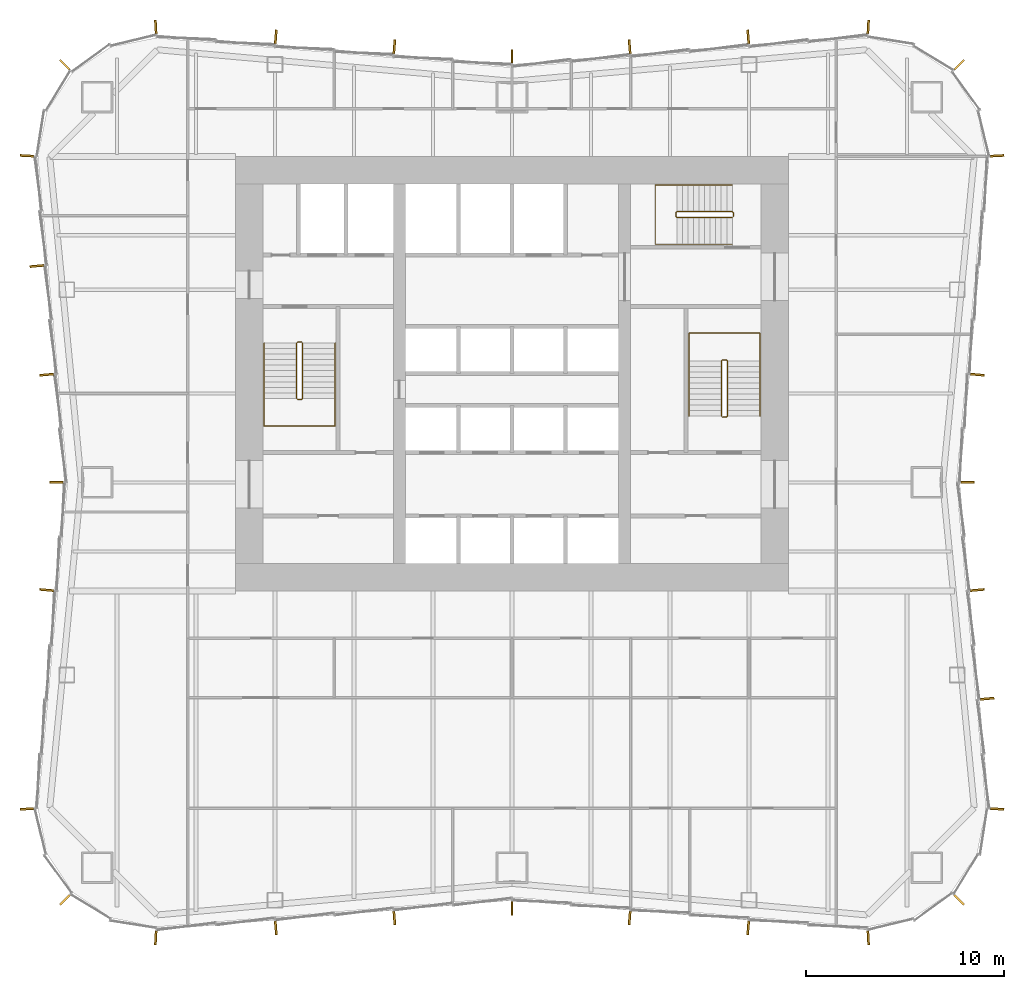
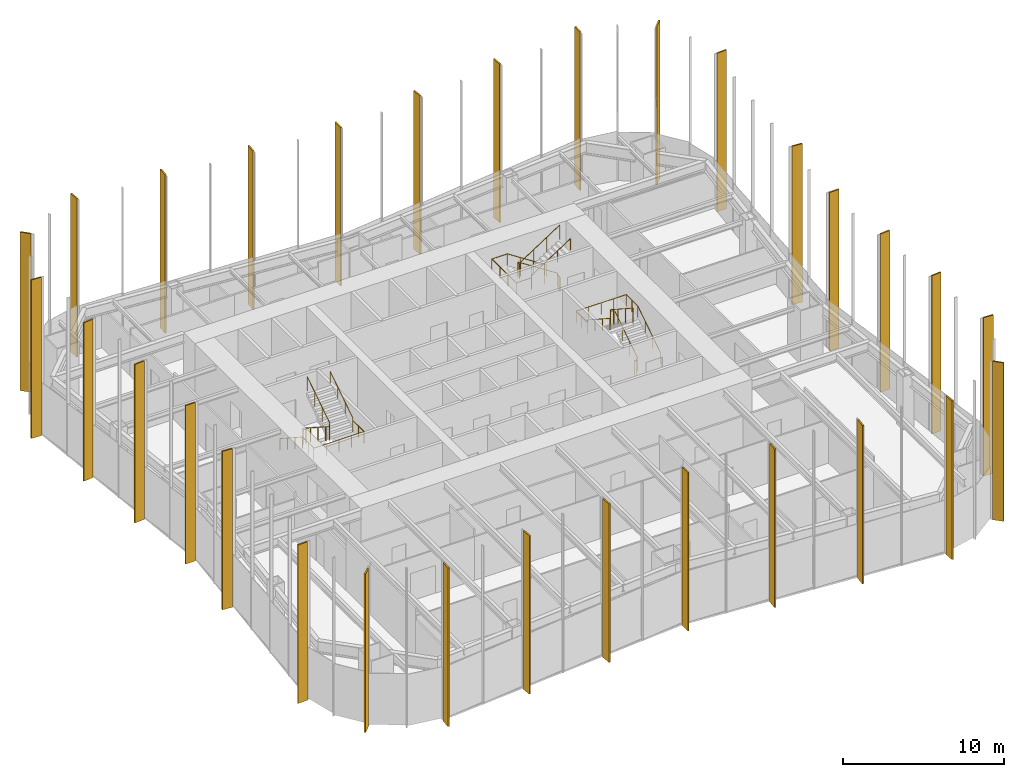
# One storey, part 13 of 13: 30 shading devices, 6 railings.
"""IFC4 building model written with IfcOpenShell, lengths in metres."""

from ifc_helpers import new_model, si_unit, direction, frame, origin, origin_2d, place, context, subcontext, project, spatial, rectangle, circle, extrude, material, layer, layer_set, type_object, element, save


model = new_model("IFC4")

# Units and contexts
model_context = context("Model", 3, precision=1e-05, world=origin(), true_north=direction((0.0, 1.0)))
body_context = subcontext(model_context, "Body", "Model", "MODEL_VIEW")
ifc_project = project(units=[si_unit("LENGTHUNIT", "METRE"), si_unit("AREAUNIT", "SQUARE_METRE"), si_unit("VOLUMEUNIT", "CUBIC_METRE"), si_unit("PLANEANGLEUNIT", "RADIAN"), si_unit("MASSUNIT", "GRAM", prefix="KILO")], contexts=[model_context])

# Site, building, storey
site_placement = place(None, origin())
site = spatial("IfcSite", under=ifc_project, at=site_placement, CompositionType="ELEMENT")
building_placement = place(site_placement, origin())
building = spatial("IfcBuilding", under=site, at=building_placement, Name="Verdant Reach Tower", CompositionType="ELEMENT")
storey_placement = place(building_placement, frame((0.0, 0.0, 14.0)))
storey = spatial("IfcBuildingStorey", under=building, at=storey_placement, Name="L02", CompositionType="ELEMENT", Elevation=14.0)

# Railings
ifc_material_1 = material(Name="Stainless steel", Category="steel")
railing_type_1 = type_object("IfcRailingType", Name="CO-GUARD", PredefinedType="GUARDRAIL", material=ifc_material_1)
railing_1_placement = place(storey_placement, frame((-10.64990234375, 29.60009765625, 0.0)))
element("IfcRailing", 1, at=railing_1_placement, inside=storey, type_object=railing_type_1, Name="L02 ST-1 stair guard 1", PredefinedType="GUARDRAIL", context=body_context, shape_type="SweptSolid", body=[
    extrude(circle(Radius=0.02392578125, at=origin_2d()), frame((0.0, 0.0, 1.076171875), z_axis=(-1.0, 0.0, 0.0), x_axis=(0.0, -1.0, 0.0)), (0.0, 0.0, 1.0), 0.2001953125),
    extrude(circle(Radius=0.02392578125, at=origin_2d()), frame((-0.2001953125, 0.0, 1.076171875), z_axis=(-0.25526617399, -0.256517478764, 0.932222056972), x_axis=(0.708833529934, -0.705375805398, 0.0)), (0.0, 0.0, 1.0), 0.195068359375),
    extrude(circle(Radius=0.02392578125, at=origin_2d()), frame((-0.25, -0.050048828125, 1.2578125), z_axis=(0.0, -0.838705829183, 0.544584733623), x_axis=(1.0, 0.0, 0.0)), (0.0, 0.0, 1.0), 3.338623046875),
    extrude(circle(Radius=0.02392578125, at=origin_2d()), frame((-0.25, -2.85009765625, 3.076171875), z_axis=(0.705375805398, -0.708833529934, 0.0), x_axis=(0.708833529934, 0.705375805398, 0.0)), (0.0, 0.0, 1.0), 0.070556640625),
    extrude(circle(Radius=0.02392578125, at=origin_2d()), frame((-0.2001953125, -2.900146484375, 3.076171875), z_axis=(1.0, 0.0, 0.0), x_axis=(0.0, 1.0, 0.0)), (0.0, 0.0, 1.0), 0.2001953125),
    extrude(circle(Radius=0.02392578125, at=origin_2d()), frame((0.0, -2.900146484375, 3.076171875), z_axis=(0.25526617399, 0.256517478764, 0.932222056972), x_axis=(-0.708833529934, 0.705375805398, 0.0)), (0.0, 0.0, 1.0), 0.195068359375),
    extrude(circle(Radius=0.02392578125, at=origin_2d()), frame((0.0498046875, -2.85009765625, 3.2578125), z_axis=(0.0, 0.838705829183, 0.544584733623), x_axis=(-1.0, 0.0, 0.0)), (0.0, 0.0, 1.0), 3.338623046875),
    extrude(circle(Radius=0.02099609375, at=origin_2d()), origin(), (0.0, 0.0, 1.0), 1.052001953125),
    extrude(circle(Radius=0.02099609375, at=origin_2d()), frame((-0.2001953125, 0.0, 0.0)), (0.0, 0.0, 1.0), 1.052001953125),
    extrude(circle(Radius=0.02099609375, at=origin_2d()), frame((-0.25, -0.050048828125, 0.181884765625)), (0.0, 0.0, 1.0), 1.052001953125),
    extrude(circle(Radius=0.02099609375, at=origin_2d()), frame((-0.25, -0.9833984375, 0.787841796875)), (0.0, 0.0, 1.0), 1.052001953125),
    extrude(circle(Radius=0.02099609375, at=origin_2d()), frame((-0.25, -1.916748046875, 1.39404296875)), (0.0, 0.0, 1.0), 1.052001953125),
    extrude(circle(Radius=0.02099609375, at=origin_2d()), frame((-0.25, -2.85009765625, 2.0)), (0.0, 0.0, 1.0), 1.052001953125),
    extrude(circle(Radius=0.02099609375, at=origin_2d()), frame((-0.2001953125, -2.900146484375, 2.0)), (0.0, 0.0, 1.0), 1.052001953125),
    extrude(circle(Radius=0.02099609375, at=origin_2d()), frame((0.0, -2.900146484375, 2.0)), (0.0, 0.0, 1.0), 1.052001953125),
    extrude(circle(Radius=0.02099609375, at=origin_2d()), frame((0.0498046875, -2.85009765625, 2.181884765625)), (0.0, 0.0, 1.0), 1.052001953125),
    extrude(circle(Radius=0.02099609375, at=origin_2d()), frame((0.0498046875, -1.916748046875, 2.787841796875)), (0.0, 0.0, 1.0), 1.052001953125),
    extrude(circle(Radius=0.02099609375, at=origin_2d()), frame((0.0498046875, -0.9833984375, 3.39404296875)), (0.0, 0.0, 1.0), 1.052001953125),
    extrude(circle(Radius=0.02099609375, at=origin_2d()), frame((0.0498046875, -0.050048828125, 4.0)), (0.0, 0.0, 1.0), 1.052001953125),
])
railing_2_placement = place(storey_placement, frame((10.64990234375, 25.800048828125, 0.0)))
element("IfcRailing", 2, at=railing_2_placement, inside=storey, type_object=railing_type_1, Name="L02 ST-2 stair guard 1", PredefinedType="GUARDRAIL", context=body_context, shape_type="SweptSolid", body=[
    extrude(circle(Radius=0.02392578125, at=origin_2d()), frame((0.0, 0.0, 1.076171875), z_axis=(1.0, 0.0, 0.0), x_axis=(0.0, 1.0, 0.0)), (0.0, 0.0, 1.0), 0.2001953125),
    extrude(circle(Radius=0.02392578125, at=origin_2d()), frame((0.2001953125, 0.0, 1.076171875), z_axis=(0.25526617399, 0.256517478764, 0.932222056972), x_axis=(-0.708833529934, 0.705375805398, 0.0)), (0.0, 0.0, 1.0), 0.195068359375),
    extrude(circle(Radius=0.02392578125, at=origin_2d()), frame((0.25, 0.050048828125, 1.2578125), z_axis=(0.0, 0.83868413941, 0.544618136222), x_axis=(-1.0, 0.0, 0.0)), (0.0, 0.0, 1.0), 3.33837890625),
    extrude(circle(Radius=0.02392578125, at=origin_2d()), frame((0.25, 2.849853515625, 3.076171875), z_axis=(-0.705375805398, 0.708833529934, 0.0), x_axis=(-0.708833529934, -0.705375805398, 0.0)), (0.0, 0.0, 1.0), 0.070556640625),
    extrude(circle(Radius=0.02392578125, at=origin_2d()), frame((0.2001953125, 2.89990234375, 3.076171875), z_axis=(-1.0, 0.0, 0.0), x_axis=(0.0, -1.0, 0.0)), (0.0, 0.0, 1.0), 0.2001953125),
    extrude(circle(Radius=0.02392578125, at=origin_2d()), frame((0.0, 2.89990234375, 3.076171875), z_axis=(-0.25526617399, -0.256517478764, 0.932222056972), x_axis=(0.708833529934, -0.705375805398, 0.0)), (0.0, 0.0, 1.0), 0.195068359375),
    extrude(circle(Radius=0.02392578125, at=origin_2d()), frame((-0.0498046875, 2.849853515625, 3.2578125), z_axis=(0.0, -0.83868413941, 0.544618136222), x_axis=(1.0, 0.0, 0.0)), (0.0, 0.0, 1.0), 3.33837890625),
    extrude(circle(Radius=0.02099609375, at=origin_2d()), origin(), (0.0, 0.0, 1.0), 1.052001953125),
    extrude(circle(Radius=0.02099609375, at=origin_2d()), frame((0.2001953125, 0.0, 0.0)), (0.0, 0.0, 1.0), 1.052001953125),
    extrude(circle(Radius=0.02099609375, at=origin_2d()), frame((0.25, 0.050048828125, 0.181884765625)), (0.0, 0.0, 1.0), 1.052001953125),
    extrude(circle(Radius=0.02099609375, at=origin_2d()), frame((0.25, 0.9833984375, 0.787841796875)), (0.0, 0.0, 1.0), 1.052001953125),
    extrude(circle(Radius=0.02099609375, at=origin_2d()), frame((0.25, 1.91650390625, 1.39404296875)), (0.0, 0.0, 1.0), 1.052001953125),
    extrude(circle(Radius=0.02099609375, at=origin_2d()), frame((0.25, 2.849853515625, 2.0)), (0.0, 0.0, 1.0), 1.052001953125),
    extrude(circle(Radius=0.02099609375, at=origin_2d()), frame((0.2001953125, 2.89990234375, 2.0)), (0.0, 0.0, 1.0), 1.052001953125),
    extrude(circle(Radius=0.02099609375, at=origin_2d()), frame((0.0, 2.89990234375, 2.0)), (0.0, 0.0, 1.0), 1.052001953125),
    extrude(circle(Radius=0.02099609375, at=origin_2d()), frame((-0.0498046875, 2.849853515625, 2.181884765625)), (0.0, 0.0, 1.0), 1.052001953125),
    extrude(circle(Radius=0.02099609375, at=origin_2d()), frame((-0.0498046875, 1.91650390625, 2.787841796875)), (0.0, 0.0, 1.0), 1.052001953125),
    extrude(circle(Radius=0.02099609375, at=origin_2d()), frame((-0.0498046875, 0.9833984375, 3.39404296875)), (0.0, 0.0, 1.0), 1.052001953125),
    extrude(circle(Radius=0.02099609375, at=origin_2d()), frame((-0.0498046875, 0.050048828125, 4.0)), (0.0, 0.0, 1.0), 1.052001953125),
])
railing_3_placement = place(storey_placement, frame((11.199951171875, 35.949951171875, 0.0)))
element("IfcRailing", 3, at=railing_3_placement, inside=storey, type_object=railing_type_1, Name="L02 ST-3 stair guard 1", PredefinedType="GUARDRAIL", context=body_context, shape_type="SweptSolid", body=[
    extrude(circle(Radius=0.02392578125, at=origin_2d()), frame((0.0, 0.0, 1.076171875), z_axis=(0.0, 1.0, 0.0), x_axis=(-1.0, 0.0, 0.0)), (0.0, 0.0, 1.0), 0.199951171875),
    extrude(circle(Radius=0.02392578125, at=origin_2d()), frame((0.0, 0.199951171875, 1.076171875), z_axis=(-0.256435381639, 0.256435381639, 0.931923704005), x_axis=(-0.707106781187, -0.707106781187, 0.0)), (0.0, 0.0, 1.0), 0.195068359375),
    extrude(circle(Radius=0.02392578125, at=origin_2d()), frame((-0.050048828125, 0.25, 1.2578125), z_axis=(-0.83868413941, 0.0, 0.544618136222), x_axis=(0.0, -1.0, 0.0)), (0.0, 0.0, 1.0), 3.33837890625),
    extrude(circle(Radius=0.02392578125, at=origin_2d()), frame((-2.849853515625, 0.25, 3.076171875), z_axis=(-0.707106781187, -0.707106781187, 0.0), x_axis=(0.707106781187, -0.707106781187, 0.0)), (0.0, 0.0, 1.0), 0.07080078125),
    extrude(circle(Radius=0.02392578125, at=origin_2d()), frame((-2.89990234375, 0.199951171875, 3.076171875), z_axis=(0.0, -1.0, 0.0), x_axis=(1.0, 0.0, 0.0)), (0.0, 0.0, 1.0), 0.199951171875),
    extrude(circle(Radius=0.02392578125, at=origin_2d()), frame((-2.89990234375, 0.0, 3.076171875), z_axis=(0.256435381639, -0.256435381639, 0.931923704005), x_axis=(0.707106781187, 0.707106781187, 0.0)), (0.0, 0.0, 1.0), 0.195068359375),
    extrude(circle(Radius=0.02392578125, at=origin_2d()), frame((-2.849853515625, -0.050048828125, 3.2578125), z_axis=(0.83868413941, 0.0, 0.544618136222), x_axis=(0.0, 1.0, 0.0)), (0.0, 0.0, 1.0), 3.33837890625),
    extrude(circle(Radius=0.02099609375, at=origin_2d()), origin(), (0.0, 0.0, 1.0), 1.052001953125),
    extrude(circle(Radius=0.02099609375, at=origin_2d()), frame((0.0, 0.199951171875, 0.0)), (0.0, 0.0, 1.0), 1.052001953125),
    extrude(circle(Radius=0.02099609375, at=origin_2d()), frame((-0.050048828125, 0.25, 0.181884765625)), (0.0, 0.0, 1.0), 1.052001953125),
    extrude(circle(Radius=0.02099609375, at=origin_2d()), frame((-0.9833984375, 0.25, 0.787841796875)), (0.0, 0.0, 1.0), 1.052001953125),
    extrude(circle(Radius=0.02099609375, at=origin_2d()), frame((-1.91650390625, 0.25, 1.39404296875)), (0.0, 0.0, 1.0), 1.052001953125),
    extrude(circle(Radius=0.02099609375, at=origin_2d()), frame((-2.849853515625, 0.25, 2.0)), (0.0, 0.0, 1.0), 1.052001953125),
    extrude(circle(Radius=0.02099609375, at=origin_2d()), frame((-2.89990234375, 0.199951171875, 2.0)), (0.0, 0.0, 1.0), 1.052001953125),
    extrude(circle(Radius=0.02099609375, at=origin_2d()), frame((-2.89990234375, 0.0, 2.0)), (0.0, 0.0, 1.0), 1.052001953125),
    extrude(circle(Radius=0.02099609375, at=origin_2d()), frame((-2.849853515625, -0.050048828125, 2.181884765625)), (0.0, 0.0, 1.0), 1.052001953125),
    extrude(circle(Radius=0.02099609375, at=origin_2d()), frame((-1.91650390625, -0.050048828125, 2.787841796875)), (0.0, 0.0, 1.0), 1.052001953125),
    extrude(circle(Radius=0.02099609375, at=origin_2d()), frame((-0.9833984375, -0.050048828125, 3.39404296875)), (0.0, 0.0, 1.0), 1.052001953125),
    extrude(circle(Radius=0.02099609375, at=origin_2d()), frame((-0.050048828125, -0.050048828125, 4.0)), (0.0, 0.0, 1.0), 1.052001953125),
])
railing_type_2 = type_object("IfcRailingType", Name="CO-HANDRAIL", PredefinedType="HANDRAIL", material=ifc_material_1)
railing_4_placement = place(storey_placement, frame((-12.550048828125, 29.550048828125, 0.181884765625)))
element("IfcRailing", 4, at=railing_4_placement, inside=storey, type_object=railing_type_2, Name="L02 ST-1 stair handrail 1", PredefinedType="HANDRAIL", context=body_context, shape_type="SweptSolid", body=[
    extrude(circle(Radius=0.02392578125, at=origin_2d()), frame((0.0, 0.0, 0.8759765625), z_axis=(0.0, -0.838705829183, 0.544584733623), x_axis=(1.0, 0.0, 0.0)), (0.0, 0.0, 1.0), 3.338623046875),
    extrude(circle(Radius=0.02392578125, at=origin_2d()), frame((0.0, -2.800048828125, 2.69384765625), z_axis=(0.0, -1.0, 0.0), x_axis=(1.0, 0.0, 0.0)), (0.0, 0.0, 1.0), 1.39990234375),
    extrude(circle(Radius=0.02392578125, at=origin_2d()), frame((0.0, -4.199951171875, 2.69384765625), z_axis=(1.0, 0.0, 0.0), x_axis=(0.0, 1.0, 0.0)), (0.0, 0.0, 1.0), 3.60009765625),
    extrude(circle(Radius=0.02392578125, at=origin_2d()), frame((3.60009765625, -4.199951171875, 2.69384765625), z_axis=(0.0, 1.0, 0.0), x_axis=(-1.0, 0.0, 0.0)), (0.0, 0.0, 1.0), 1.39990234375),
    extrude(circle(Radius=0.02392578125, at=origin_2d()), frame((3.60009765625, -2.800048828125, 2.69384765625), z_axis=(0.0, 0.0, 1.0), x_axis=(1.0, 0.0, 0.0)), (0.0, 0.0, 1.0), 0.181884765625),
    extrude(circle(Radius=0.02392578125, at=origin_2d()), frame((3.60009765625, -2.800048828125, 2.8759765625), z_axis=(0.0, 0.838705829183, 0.544584733623), x_axis=(-1.0, 0.0, 0.0)), (0.0, 0.0, 1.0), 3.338623046875),
    extrude(circle(Radius=0.02099609375, at=origin_2d()), origin(), (0.0, 0.0, 1.0), 0.851806640625),
    extrude(circle(Radius=0.02099609375, at=origin_2d()), frame((0.0, -0.933349609375, 0.60595703125)), (0.0, 0.0, 1.0), 0.851806640625),
    extrude(circle(Radius=0.02099609375, at=origin_2d()), frame((0.0, -1.86669921875, 1.212158203125)), (0.0, 0.0, 1.0), 0.851806640625),
    extrude(circle(Radius=0.02099609375, at=origin_2d()), frame((0.0, -2.800048828125, 1.818115234375)), (0.0, 0.0, 1.0), 0.851806640625),
    extrude(circle(Radius=0.02099609375, at=origin_2d()), frame((0.0, -3.5, 1.818115234375)), (0.0, 0.0, 1.0), 0.851806640625),
    extrude(circle(Radius=0.02099609375, at=origin_2d()), frame((0.0, -4.199951171875, 1.818115234375)), (0.0, 0.0, 1.0), 0.851806640625),
    extrude(circle(Radius=0.02099609375, at=origin_2d()), frame((0.89990234375, -4.199951171875, 1.818115234375)), (0.0, 0.0, 1.0), 0.851806640625),
    extrude(circle(Radius=0.02099609375, at=origin_2d()), frame((1.800048828125, -4.199951171875, 1.818115234375)), (0.0, 0.0, 1.0), 0.851806640625),
    extrude(circle(Radius=0.02099609375, at=origin_2d()), frame((2.7001953125, -4.199951171875, 1.818115234375)), (0.0, 0.0, 1.0), 0.851806640625),
    extrude(circle(Radius=0.02099609375, at=origin_2d()), frame((3.60009765625, -4.199951171875, 1.818115234375)), (0.0, 0.0, 1.0), 0.851806640625),
    extrude(circle(Radius=0.02099609375, at=origin_2d()), frame((3.60009765625, -3.5, 1.818115234375)), (0.0, 0.0, 1.0), 0.851806640625),
    extrude(circle(Radius=0.02099609375, at=origin_2d()), frame((3.60009765625, -2.800048828125, 1.818115234375)), (0.0, 0.0, 1.0), 0.851806640625),
    extrude(circle(Radius=0.02099609375, at=origin_2d()), frame((3.60009765625, -2.800048828125, 2.0)), (0.0, 0.0, 1.0), 0.851806640625),
    extrude(circle(Radius=0.02099609375, at=origin_2d()), frame((3.60009765625, -1.86669921875, 2.60595703125)), (0.0, 0.0, 1.0), 0.851806640625),
    extrude(circle(Radius=0.02099609375, at=origin_2d()), frame((3.60009765625, -0.933349609375, 3.212158203125)), (0.0, 0.0, 1.0), 0.851806640625),
    extrude(circle(Radius=0.02099609375, at=origin_2d()), frame((3.60009765625, 0.0, 3.818115234375)), (0.0, 0.0, 1.0), 0.851806640625),
])
railing_5_placement = place(storey_placement, frame((12.550048828125, 25.85009765625, 0.181884765625)))
element("IfcRailing", 5, at=railing_5_placement, inside=storey, type_object=railing_type_2, Name="L02 ST-2 stair handrail 1", PredefinedType="HANDRAIL", context=body_context, shape_type="SweptSolid", body=[
    extrude(circle(Radius=0.02392578125, at=origin_2d()), frame((0.0, 0.0, 0.8759765625), z_axis=(0.0, 0.83868413941, 0.544618136222), x_axis=(-1.0, 0.0, 0.0)), (0.0, 0.0, 1.0), 3.33837890625),
    extrude(circle(Radius=0.02392578125, at=origin_2d()), frame((0.0, 2.7998046875, 2.69384765625), z_axis=(0.0, 1.0, 0.0), x_axis=(-1.0, 0.0, 0.0)), (0.0, 0.0, 1.0), 1.400146484375),
    extrude(circle(Radius=0.02392578125, at=origin_2d()), frame((0.0, 4.199951171875, 2.69384765625), z_axis=(-1.0, 0.0, 0.0), x_axis=(0.0, -1.0, 0.0)), (0.0, 0.0, 1.0), 3.60009765625),
    extrude(circle(Radius=0.02392578125, at=origin_2d()), frame((-3.60009765625, 4.199951171875, 2.69384765625), z_axis=(0.0, -1.0, 0.0), x_axis=(1.0, 0.0, 0.0)), (0.0, 0.0, 1.0), 1.400146484375),
    extrude(circle(Radius=0.02392578125, at=origin_2d()), frame((-3.60009765625, 2.7998046875, 2.69384765625), z_axis=(0.0, 0.0, 1.0), x_axis=(1.0, 0.0, 0.0)), (0.0, 0.0, 1.0), 0.181884765625),
    extrude(circle(Radius=0.02392578125, at=origin_2d()), frame((-3.60009765625, 2.7998046875, 2.8759765625), z_axis=(0.0, -0.83868413941, 0.544618136222), x_axis=(1.0, 0.0, 0.0)), (0.0, 0.0, 1.0), 3.33837890625),
    extrude(circle(Radius=0.02099609375, at=origin_2d()), origin(), (0.0, 0.0, 1.0), 0.851806640625),
    extrude(circle(Radius=0.02099609375, at=origin_2d()), frame((0.0, 0.933349609375, 0.60595703125)), (0.0, 0.0, 1.0), 0.851806640625),
    extrude(circle(Radius=0.02099609375, at=origin_2d()), frame((0.0, 1.866455078125, 1.212158203125)), (0.0, 0.0, 1.0), 0.851806640625),
    extrude(circle(Radius=0.02099609375, at=origin_2d()), frame((0.0, 2.7998046875, 1.818115234375)), (0.0, 0.0, 1.0), 0.851806640625),
    extrude(circle(Radius=0.02099609375, at=origin_2d()), frame((0.0, 3.5, 1.818115234375)), (0.0, 0.0, 1.0), 0.851806640625),
    extrude(circle(Radius=0.02099609375, at=origin_2d()), frame((0.0, 4.199951171875, 1.818115234375)), (0.0, 0.0, 1.0), 0.851806640625),
    extrude(circle(Radius=0.02099609375, at=origin_2d()), frame((-0.89990234375, 4.199951171875, 1.818115234375)), (0.0, 0.0, 1.0), 0.851806640625),
    extrude(circle(Radius=0.02099609375, at=origin_2d()), frame((-1.800048828125, 4.199951171875, 1.818115234375)), (0.0, 0.0, 1.0), 0.851806640625),
    extrude(circle(Radius=0.02099609375, at=origin_2d()), frame((-2.7001953125, 4.199951171875, 1.818115234375)), (0.0, 0.0, 1.0), 0.851806640625),
    extrude(circle(Radius=0.02099609375, at=origin_2d()), frame((-3.60009765625, 4.199951171875, 1.818115234375)), (0.0, 0.0, 1.0), 0.851806640625),
    extrude(circle(Radius=0.02099609375, at=origin_2d()), frame((-3.60009765625, 3.5, 1.818115234375)), (0.0, 0.0, 1.0), 0.851806640625),
    extrude(circle(Radius=0.02099609375, at=origin_2d()), frame((-3.60009765625, 2.7998046875, 1.818115234375)), (0.0, 0.0, 1.0), 0.851806640625),
    extrude(circle(Radius=0.02099609375, at=origin_2d()), frame((-3.60009765625, 2.7998046875, 2.0)), (0.0, 0.0, 1.0), 0.851806640625),
    extrude(circle(Radius=0.02099609375, at=origin_2d()), frame((-3.60009765625, 1.866455078125, 2.60595703125)), (0.0, 0.0, 1.0), 0.851806640625),
    extrude(circle(Radius=0.02099609375, at=origin_2d()), frame((-3.60009765625, 0.933349609375, 3.212158203125)), (0.0, 0.0, 1.0), 0.851806640625),
    extrude(circle(Radius=0.02099609375, at=origin_2d()), frame((-3.60009765625, 0.0, 3.818115234375)), (0.0, 0.0, 1.0), 0.851806640625),
])
railing_6_placement = place(storey_placement, frame((11.14990234375, 37.550048828125, 0.181884765625)))
element("IfcRailing", 6, at=railing_6_placement, inside=storey, type_object=railing_type_2, Name="L02 ST-3 stair handrail 1", PredefinedType="HANDRAIL", context=body_context, shape_type="SweptSolid", body=[
    extrude(circle(Radius=0.02392578125, at=origin_2d()), frame((0.0, 0.0, 0.8759765625), z_axis=(-0.83868413941, 0.0, 0.544618136222), x_axis=(0.0, -1.0, 0.0)), (0.0, 0.0, 1.0), 3.33837890625),
    extrude(circle(Radius=0.02392578125, at=origin_2d()), frame((-2.7998046875, 0.0, 2.69384765625), z_axis=(-1.0, 0.0, 0.0), x_axis=(0.0, -1.0, 0.0)), (0.0, 0.0, 1.0), 1.10009765625),
    extrude(circle(Radius=0.02392578125, at=origin_2d()), frame((-3.89990234375, 0.0, 2.69384765625), z_axis=(0.0, -1.0, 0.0), x_axis=(1.0, 0.0, 0.0)), (0.0, 0.0, 1.0), 3.0),
    extrude(circle(Radius=0.02392578125, at=origin_2d()), frame((-3.89990234375, -3.0, 2.69384765625), z_axis=(1.0, 0.0, 0.0), x_axis=(0.0, 1.0, 0.0)), (0.0, 0.0, 1.0), 1.10009765625),
    extrude(circle(Radius=0.02392578125, at=origin_2d()), frame((-2.7998046875, -3.0, 2.69384765625), z_axis=(0.0, 0.0, 1.0), x_axis=(1.0, 0.0, 0.0)), (0.0, 0.0, 1.0), 0.181884765625),
    extrude(circle(Radius=0.02392578125, at=origin_2d()), frame((-2.7998046875, -3.0, 2.8759765625), z_axis=(0.83868413941, 0.0, 0.544618136222), x_axis=(0.0, 1.0, 0.0)), (0.0, 0.0, 1.0), 3.33837890625),
    extrude(circle(Radius=0.02099609375, at=origin_2d()), origin(), (0.0, 0.0, 1.0), 0.851806640625),
    extrude(circle(Radius=0.02099609375, at=origin_2d()), frame((-0.933349609375, 0.0, 0.60595703125)), (0.0, 0.0, 1.0), 0.851806640625),
    extrude(circle(Radius=0.02099609375, at=origin_2d()), frame((-1.866455078125, 0.0, 1.212158203125)), (0.0, 0.0, 1.0), 0.851806640625),
    extrude(circle(Radius=0.02099609375, at=origin_2d()), frame((-2.7998046875, 0.0, 1.818115234375)), (0.0, 0.0, 1.0), 0.851806640625),
    extrude(circle(Radius=0.02099609375, at=origin_2d()), frame((-3.89990234375, 0.0, 1.818115234375)), (0.0, 0.0, 1.0), 0.851806640625),
    extrude(circle(Radius=0.02099609375, at=origin_2d()), frame((-3.89990234375, -1.0, 1.818115234375)), (0.0, 0.0, 1.0), 0.851806640625),
    extrude(circle(Radius=0.02099609375, at=origin_2d()), frame((-3.89990234375, -2.0, 1.818115234375)), (0.0, 0.0, 1.0), 0.851806640625),
    extrude(circle(Radius=0.02099609375, at=origin_2d()), frame((-3.89990234375, -3.0, 1.818115234375)), (0.0, 0.0, 1.0), 0.851806640625),
    extrude(circle(Radius=0.02099609375, at=origin_2d()), frame((-2.7998046875, -3.0, 1.818115234375)), (0.0, 0.0, 1.0), 0.851806640625),
    extrude(circle(Radius=0.02099609375, at=origin_2d()), frame((-2.7998046875, -3.0, 2.0)), (0.0, 0.0, 1.0), 0.851806640625),
    extrude(circle(Radius=0.02099609375, at=origin_2d()), frame((-1.866455078125, -3.0, 2.60595703125)), (0.0, 0.0, 1.0), 0.851806640625),
    extrude(circle(Radius=0.02099609375, at=origin_2d()), frame((-0.933349609375, -3.0, 3.212158203125)), (0.0, 0.0, 1.0), 0.851806640625),
    extrude(circle(Radius=0.02099609375, at=origin_2d()), frame((0.0, -3.0, 3.818115234375)), (0.0, 0.0, 1.0), 0.851806640625),
])

# Shading devices
ifc_material_2 = material(Name="Bronze fin, champagne", Category="aluminium")
ifc_layer_1 = layer(ifc_material_2, 0.10009765625)
ifc_layer_set_1 = layer_set([ifc_layer_1], Name="EN-FIN CHAMPAGNE")
shading_device_type_1 = type_object("IfcShadingDeviceType", Name="EN-FIN CHAMPAGNE", PredefinedType="USERDEFINED", material=ifc_layer_set_1)
for number, where, z_axis, x_axis, name in (
    (7, (22.631591796875, 1.368408203125, -0.35009765625), (0.0, 0.0, 1.0), (0.707106781187, 0.707106781187, 0.0), "Fin south-east corner 3, L02"),
    (8, (24.0478515625, 11.5498046875, -0.35009765625), (0.0, 0.0, 1.0), (-0.090535746047, 0.995893206467, 0.0), "Fin east face part 1 3, L02"),
    (9, (23.5478515625, 27.9501953125, -0.35009765625), (0.0, 0.0, 1.0), (0.090535746047, 0.995893206467, 0.0), "Fin east face part 2 3, L02"),
    (10, (22.631591796875, 43.631591796875, -0.35009765625), (0.0, 0.0, 1.0), (-0.707106781187, 0.707106781187, 0.0), "Fin north-east corner 3, L02"),
    (11, (18.031005859375, 45.549072265625, -0.35009765625), (0.0, 0.0, 1.0), (-0.998398681387, 0.056569187765, 0.0), "Fin north face part 1 1, L02"),
    (12, (0.0, 44.050048828125, -0.35009765625), (0.0, 0.0, 1.0), (-1.0, 0.0, 0.0), "Fin north face part 2 1, L02"),
    (13, (-5.954345703125, 44.548095703125, -0.35009765625), (0.0, 0.0, 1.0), (-0.996545758244, 0.083045479859, 0.0), "Fin north face part 2 3, L02"),
    (14, (-18.031005859375, 45.549072265625, -0.35009765625), (0.0, 0.0, 1.0), (-0.998398681387, -0.056569187765, 0.0), "Fin north-west corner 1, L02"),
    (15, (-23.050048828125, 22.5, -0.35009765625), (0.0, 0.0, 1.0), (0.0, -1.0, 0.0), "Fin west face part 2 1, L02"),
    (16, (-11.954345703125, -0.048095703125, -0.35009765625), (0.0, 0.0, 1.0), (0.996545758244, 0.083045479859, 0.0), "Fin south face part 1 3, L02"),
    (17, (-5.954345703125, 0.451904296875, -0.35009765625), (0.0, 0.0, 1.0), (0.996545758244, 0.083045479859, 0.0), "Fin south face part 1 5, L02"),
    (18, (11.954345703125, -0.048095703125, -0.35009765625), (0.0, 0.0, 1.0), (0.996545758244, -0.083045479859, 0.0), "Fin south face part 2 5, L02"),
):
    element("IfcShadingDevice", number, at=place(storey_placement, frame(where, z_axis=z_axis, x_axis=x_axis)), inside=storey, type_object=shading_device_type_1, Name=name, ObjectType="FIN", PredefinedType="USERDEFINED", context=body_context, shape_type="SweptSolid", body=[
        extrude(rectangle(XDim=0.10009765625, YDim=0.699951171875, at=origin_2d()), origin(), (0.0, 0.0, 1.0), 12.0),
    ])
ifc_material_3 = material(Name="Bronze fin, copper", Category="aluminium")
ifc_layer_2 = layer(ifc_material_3, 0.10009765625)
ifc_layer_set_2 = layer_set([ifc_layer_2], Name="EN-FIN COPPER")
shading_device_type_2 = type_object("IfcShadingDeviceType", Name="EN-FIN COPPER", PredefinedType="USERDEFINED", material=ifc_layer_set_2)
for number, where, z_axis, x_axis, name in (
    (19, (23.5478515625, 17.0498046875, -0.35009765625), (0.0, 0.0, 1.0), (-0.090535746047, 0.995893206467, 0.0), "Fin east face part 1 5, L02"),
    (20, (11.954345703125, 45.048095703125, -0.35009765625), (0.0, 0.0, 1.0), (-0.996545758244, -0.083045479859, 0.0), "Fin north face part 1 3, L02"),
    (21, (-11.954345703125, 45.048095703125, -0.35009765625), (0.0, 0.0, 1.0), (-0.996545758244, 0.083045479859, 0.0), "Fin north face part 2 5, L02"),
    (22, (-22.631591796875, 43.631591796875, -0.35009765625), (0.0, 0.0, 1.0), (-0.707106781187, -0.707106781187, 0.0), "Fin north-west corner 3, L02"),
    (23, (-24.54931640625, 39.029052734375, -0.35009765625), (0.0, 0.0, 1.0), (-0.052815489107, -0.998604288049, 0.0), "Fin west face part 1 1, L02"),
    (24, (-23.5478515625, 17.0498046875, -0.35009765625), (0.0, 0.0, 1.0), (-0.090535746047, -0.995893206467, 0.0), "Fin west face part 2 3, L02"),
    (25, (-24.54931640625, 5.970947265625, -0.35009765625), (0.0, 0.0, 1.0), (0.052815489107, -0.998604288049, 0.0), "Fin south-west corner 1, L02"),
    (26, (0.0, 0.949951171875, -0.35009765625), (0.0, 0.0, 1.0), (1.0, 0.0, 0.0), "Fin south face part 2 1, L02"),
):
    element("IfcShadingDevice", number, at=place(storey_placement, frame(where, z_axis=z_axis, x_axis=x_axis)), inside=storey, type_object=shading_device_type_2, Name=name, ObjectType="FIN", PredefinedType="USERDEFINED", context=body_context, shape_type="SweptSolid", body=[
        extrude(rectangle(XDim=0.10009765625, YDim=0.699951171875, at=origin_2d()), origin(), (0.0, 0.0, 1.0), 12.0),
    ])
ifc_material_4 = material(Name="Bronze fin, dark bronze", Category="aluminium")
ifc_layer_3 = layer(ifc_material_4, 0.10009765625)
ifc_layer_set_3 = layer_set([ifc_layer_3], Name="EN-FIN DARK")
shading_device_type_3 = type_object("IfcShadingDeviceType", Name="EN-FIN DARK", PredefinedType="USERDEFINED", material=ifc_layer_set_3)
for number, where, z_axis, x_axis, name in (
    (27, (18.031005859375, -0.549072265625, -0.35009765625), (0.0, 0.0, 1.0), (0.998398681387, 0.056569187765, 0.0), "Fin south-east corner 1, L02"),
    (28, (24.54931640625, 5.970947265625, -0.35009765625), (0.0, 0.0, 1.0), (0.052815489107, 0.998604288049, 0.0), "Fin east face part 1 1, L02"),
    (29, (23.050048828125, 22.5, -0.35009765625), (0.0, 0.0, 1.0), (0.0, 1.0, 0.0), "Fin east face part 2 1, L02"),
    (30, (24.54931640625, 39.029052734375, -0.35009765625), (0.0, 0.0, 1.0), (-0.052815489107, 0.998604288049, 0.0), "Fin north-east corner 1, L02"),
    (31, (5.954345703125, 44.548095703125, -0.35009765625), (0.0, 0.0, 1.0), (-0.996545758244, -0.083045479859, 0.0), "Fin north face part 1 5, L02"),
    (32, (-24.0478515625, 33.4501953125, -0.35009765625), (0.0, 0.0, 1.0), (0.090535746047, -0.995893206467, 0.0), "Fin west face part 1 3, L02"),
    (33, (-23.5478515625, 27.9501953125, -0.35009765625), (0.0, 0.0, 1.0), (0.090535746047, -0.995893206467, 0.0), "Fin west face part 1 5, L02"),
    (34, (-22.631591796875, 1.368408203125, -0.35009765625), (0.0, 0.0, 1.0), (0.707106781187, -0.707106781187, 0.0), "Fin south-west corner 3, L02"),
    (35, (-18.031005859375, -0.549072265625, -0.35009765625), (0.0, 0.0, 1.0), (0.998398681387, -0.056569187765, 0.0), "Fin south face part 1 1, L02"),
    (36, (5.954345703125, 0.451904296875, -0.35009765625), (0.0, 0.0, 1.0), (0.996545758244, -0.083045479859, 0.0), "Fin south face part 2 3, L02"),
):
    element("IfcShadingDevice", number, at=place(storey_placement, frame(where, z_axis=z_axis, x_axis=x_axis)), inside=storey, type_object=shading_device_type_3, Name=name, ObjectType="FIN", PredefinedType="USERDEFINED", context=body_context, shape_type="SweptSolid", body=[
        extrude(rectangle(XDim=0.10009765625, YDim=0.699951171875, at=origin_2d()), origin(), (0.0, 0.0, 1.0), 12.0),
    ])

save(model, "model.ifc")
